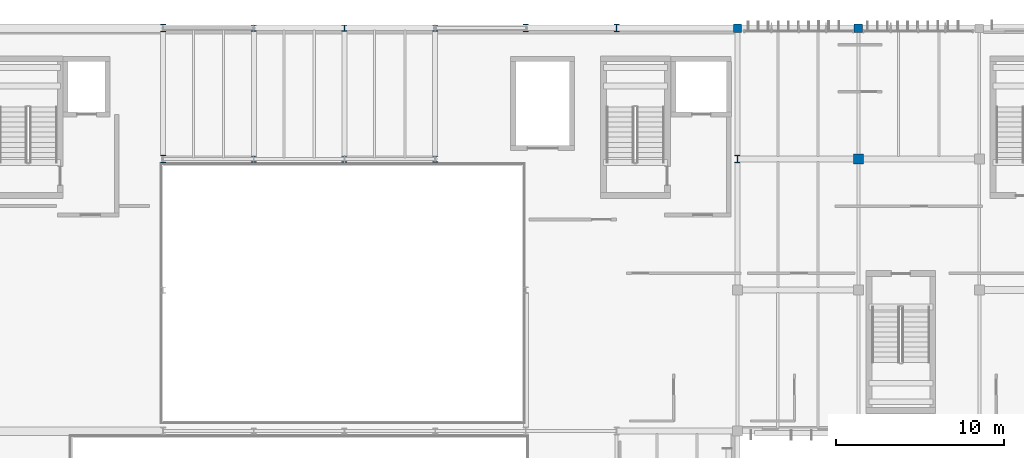
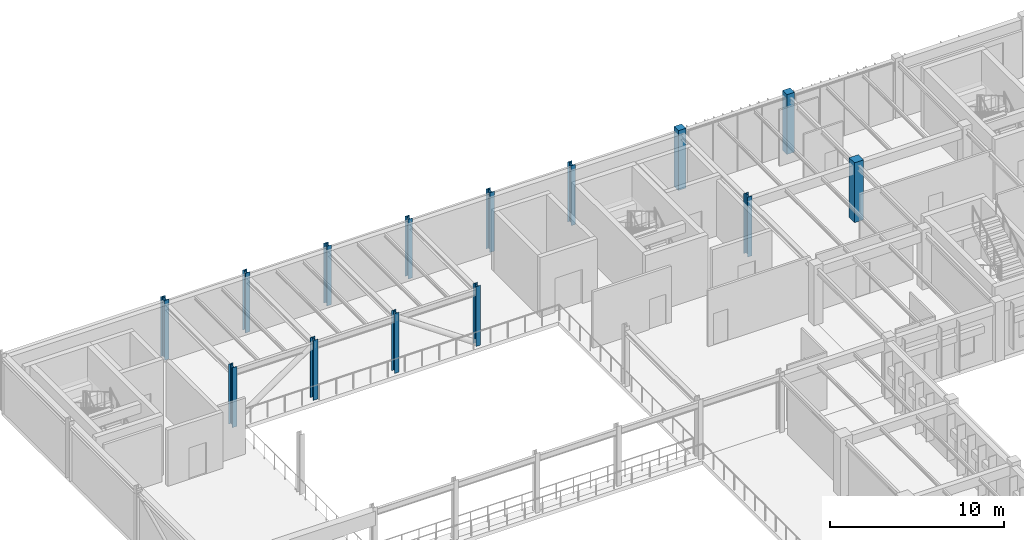
# One storey, part 10 of 122: 14 columns.
"""IFC4 building model written with IfcOpenShell, lengths in metres."""

from ifc_helpers import new_model, si_unit, direction, frame, origin, origin_2d, place, context, subcontext, project, spatial, rectangle, i_section, extrude, material, material_profile, profile_set, type_object, element, save


model = new_model("IFC4")

# Units and contexts
model_context = context("Model", 3, precision=1e-05, world=origin(), true_north=direction((0.0, 1.0)))
body_context = subcontext(model_context, "Body", "Model", "MODEL_VIEW")
ifc_project = project(units=[si_unit("LENGTHUNIT", "METRE"), si_unit("AREAUNIT", "SQUARE_METRE"), si_unit("VOLUMEUNIT", "CUBIC_METRE"), si_unit("PLANEANGLEUNIT", "RADIAN"), si_unit("MASSUNIT", "GRAM", prefix="KILO")], contexts=[model_context])

# Site, building, storey
site_placement = place(None, origin())
site = spatial("IfcSite", under=ifc_project, at=site_placement, CompositionType="ELEMENT")
building_placement = place(site_placement, origin())
building = spatial("IfcBuilding", under=site, at=building_placement, Name="Tazoul Stagehouse", CompositionType="ELEMENT")
storey_placement = place(building_placement, frame((0.0, 0.0, 4.800048828125)))
storey = spatial("IfcBuildingStorey", under=building, at=storey_placement, Name="L01", CompositionType="ELEMENT", Elevation=4.800048828125)

# Columns
ifc_material_1 = material(Name="Concrete C40/50", Category="concrete")
ifc_material_profile_1 = material_profile(ifc_material_1, rectangle(XDim=0.5, YDim=0.5, at=origin_2d()), Name="RC 500x500")
ifc_profile_set_1 = profile_set([ifc_material_profile_1], Name="Concrete C40/50")
column_type_1 = type_object("IfcColumnType", Name="RC Column 500x500 (Exterior)", PredefinedType="COLUMN", material=ifc_profile_set_1)
for number, where, z_axis, x_axis, name in (
    (1, (102.60009765625, 111.800048828125, 0.0), (0.0, 0.0, 1.0), (1.0, 0.0, 0.0), "L01 Column C-02E at 16/R"),
    (2, (109.800048828125, 111.800048828125, 0.0), (0.0, 0.0, 1.0), (1.0, 0.0, 0.0), "L01 Column C-02E at 17/R"),
):
    element("IfcColumn", number, at=place(storey_placement, frame(where, z_axis=z_axis, x_axis=x_axis)), inside=storey, type_object=column_type_1, Name=name, PredefinedType="COLUMN", context=body_context, shape_type="SweptSolid", body=[
        extrude(rectangle(XDim=0.5, YDim=0.5, at=origin_2d()), origin(), (0.0, 0.0, 1.0), 4.199951171875),
    ])
ifc_material_profile_2 = material_profile(ifc_material_1, rectangle(XDim=0.60009765625, YDim=0.60009765625, at=origin_2d()), Name="RC 600x600")
ifc_profile_set_2 = profile_set([ifc_material_profile_2], Name="Concrete C40/50")
column_type_2 = type_object("IfcColumnType", Name="RC Column 600x600", PredefinedType="COLUMN", material=ifc_profile_set_2)
column_placement = place(storey_placement, frame((109.800048828125, 104.0, 0.0), z_axis=(0.0, 0.0, 1.0), x_axis=(1.0, 0.0, 0.0)))
element("IfcColumn", 3, at=column_placement, inside=storey, type_object=column_type_2, Name="L01 Column C-03 at 17/Q", PredefinedType="COLUMN", context=body_context, shape_type="SweptSolid", body=[
    extrude(rectangle(XDim=0.60009765625, YDim=0.60009765625, at=origin_2d()), origin(), (0.0, 0.0, 1.0), 4.199951171875),
])
ifc_material_2 = material(Name="Steel S355", Category="steel")
ifc_material_profile_3 = material_profile(ifc_material_2, i_section(OverallWidth=0.300048828125, OverallDepth=0.360107421875, WebThickness=0.012451171875, FlangeThickness=0.0224609375, FilletRadius=0.027099609375, at=origin_2d()), Name="HEB 360")
ifc_profile_set_3 = profile_set([ifc_material_profile_3], Name="Steel S355")
column_type_3 = type_object("IfcColumnType", Name="Steel Column HEB 360", PredefinedType="COLUMN", material=ifc_profile_set_3)
for number, where, z_axis, x_axis, name in (
    (4, (73.800048828125, 104.0, 0.0), (0.0, 0.0, 1.0), (1.0, 0.0, 0.0), "L01 Column SC-03 at 11/Q"),
    (5, (79.199951171875, 104.0, 0.0), (0.0, 0.0, 1.0), (1.0, 0.0, 0.0), "L01 Column SC-03 at 12/Q"),
    (6, (84.60009765625, 104.0, 0.0), (0.0, 0.0, 1.0), (1.0, 0.0, 0.0), "L01 Column SC-03 at 13/Q"),
):
    element("IfcColumn", number, at=place(storey_placement, frame(where, z_axis=z_axis, x_axis=x_axis)), inside=storey, type_object=column_type_3, Name=name, PredefinedType="COLUMN", context=body_context, shape_type="SweptSolid", body=[
        extrude(i_section(OverallWidth=0.300048828125, OverallDepth=0.360107421875, WebThickness=0.012451171875, FlangeThickness=0.0224609375, FilletRadius=0.027099609375, at=origin_2d()), origin(), (0.0, 0.0, 1.0), 4.199951171875),
    ])
ifc_material_profile_4 = material_profile(ifc_material_2, i_section(OverallWidth=0.300048828125, OverallDepth=0.360107421875, WebThickness=0.012451171875, FlangeThickness=0.0224609375, FilletRadius=0.027099609375, at=origin_2d()), Name="HEB 360")
ifc_profile_set_4 = profile_set([ifc_material_profile_4], Name="Steel S355")
column_type_4 = type_object("IfcColumnType", Name="Steel Column HEB 360 (Exterior)", PredefinedType="COLUMN", material=ifc_profile_set_4)
for number, where, z_axis, x_axis, name in (
    (7, (73.800048828125, 111.800048828125, 0.0), (0.0, 0.0, 1.0), (1.0, 0.0, 0.0), "L01 Column SC-03E at 11/R"),
    (8, (79.199951171875, 111.800048828125, 0.0), (0.0, 0.0, 1.0), (1.0, 0.0, 0.0), "L01 Column SC-03E at 12/R"),
    (9, (84.60009765625, 111.800048828125, 0.0), (0.0, 0.0, 1.0), (1.0, 0.0, 0.0), "L01 Column SC-03E at 13/R"),
):
    element("IfcColumn", number, at=place(storey_placement, frame(where, z_axis=z_axis, x_axis=x_axis)), inside=storey, type_object=column_type_4, Name=name, PredefinedType="COLUMN", context=body_context, shape_type="SweptSolid", body=[
        extrude(i_section(OverallWidth=0.300048828125, OverallDepth=0.360107421875, WebThickness=0.012451171875, FlangeThickness=0.0224609375, FilletRadius=0.027099609375, at=origin_2d()), origin(), (0.0, 0.0, 1.0), 4.199951171875),
    ])
ifc_material_profile_5 = material_profile(ifc_material_2, i_section(OverallWidth=0.300048828125, OverallDepth=0.449951171875, WebThickness=0.013916015625, FlangeThickness=0.02587890625, FilletRadius=0.027099609375, at=origin_2d()), Name="HEB 450")
ifc_profile_set_5 = profile_set([ifc_material_profile_5], Name="Steel S355")
column_type_5 = type_object("IfcColumnType", Name="Steel Column HEB 450", PredefinedType="COLUMN", material=ifc_profile_set_5)
for number, where, z_axis, x_axis, name in (
    (10, (68.39990234375, 104.0, 0.0), (0.0, 0.0, 1.0), (1.0, 0.0, 0.0), "L01 Column SC-05 at 10/Q"),
    (11, (102.60009765625, 104.0, 0.0), (0.0, 0.0, 1.0), (1.0, 0.0, 0.0), "L01 Column SC-05 at 16/Q"),
):
    element("IfcColumn", number, at=place(storey_placement, frame(where, z_axis=z_axis, x_axis=x_axis)), inside=storey, type_object=column_type_5, Name=name, PredefinedType="COLUMN", context=body_context, shape_type="SweptSolid", body=[
        extrude(i_section(OverallWidth=0.300048828125, OverallDepth=0.449951171875, WebThickness=0.013916015625, FlangeThickness=0.02587890625, FilletRadius=0.027099609375, at=origin_2d()), origin(), (0.0, 0.0, 1.0), 4.199951171875),
    ])
ifc_material_profile_6 = material_profile(ifc_material_2, i_section(OverallWidth=0.300048828125, OverallDepth=0.449951171875, WebThickness=0.013916015625, FlangeThickness=0.02587890625, FilletRadius=0.027099609375, at=origin_2d()), Name="HEB 450")
ifc_profile_set_6 = profile_set([ifc_material_profile_6], Name="Steel S355")
column_type_6 = type_object("IfcColumnType", Name="Steel Column HEB 450 (Exterior)", PredefinedType="COLUMN", material=ifc_profile_set_6)
for number, where, z_axis, x_axis, name in (
    (12, (68.39990234375, 111.800048828125, 0.0), (0.0, 0.0, 1.0), (1.0, 0.0, 0.0), "L01 Column SC-05E at 10/R"),
    (13, (90.0, 111.800048828125, 0.0), (0.0, 0.0, 1.0), (1.0, 0.0, 0.0), "L01 Column SC-05E at 14/R"),
    (14, (95.39990234375, 111.800048828125, 0.0), (0.0, 0.0, 1.0), (1.0, 0.0, 0.0), "L01 Column SC-05E at 15/R"),
):
    element("IfcColumn", number, at=place(storey_placement, frame(where, z_axis=z_axis, x_axis=x_axis)), inside=storey, type_object=column_type_6, Name=name, PredefinedType="COLUMN", context=body_context, shape_type="SweptSolid", body=[
        extrude(i_section(OverallWidth=0.300048828125, OverallDepth=0.449951171875, WebThickness=0.013916015625, FlangeThickness=0.02587890625, FilletRadius=0.027099609375, at=origin_2d()), origin(), (0.0, 0.0, 1.0), 4.199951171875),
    ])

save(model, "model.ifc")
